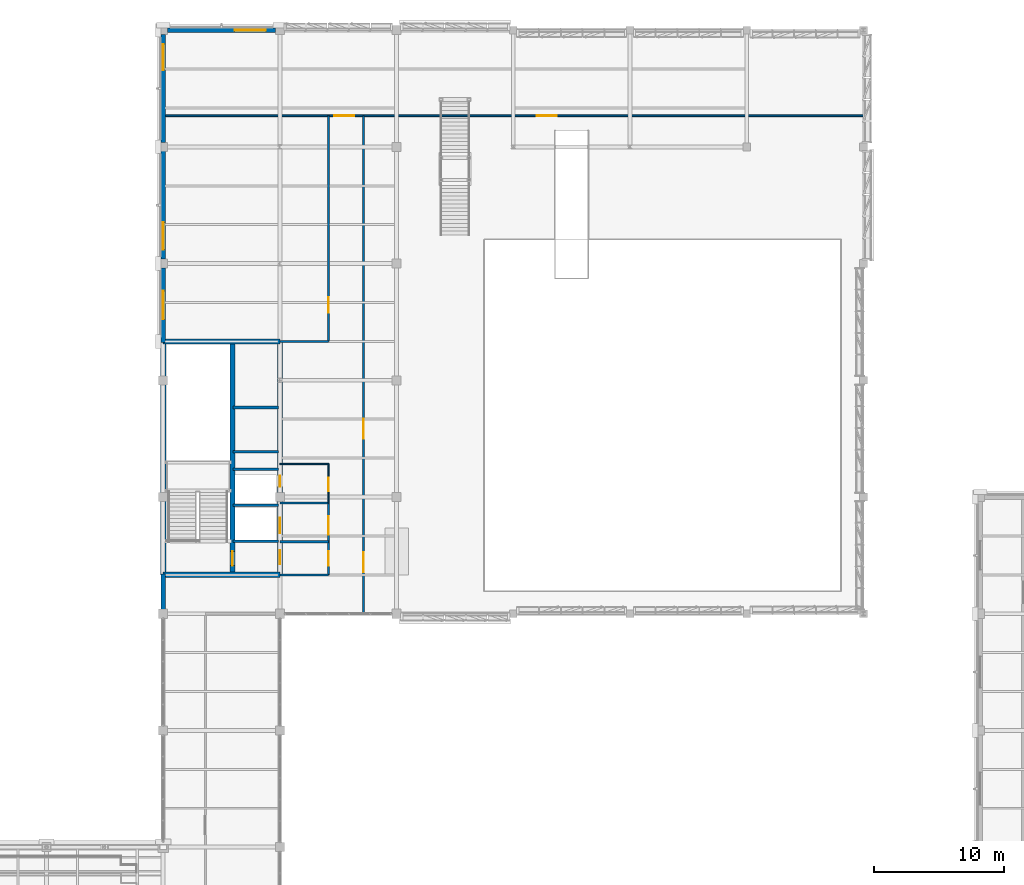
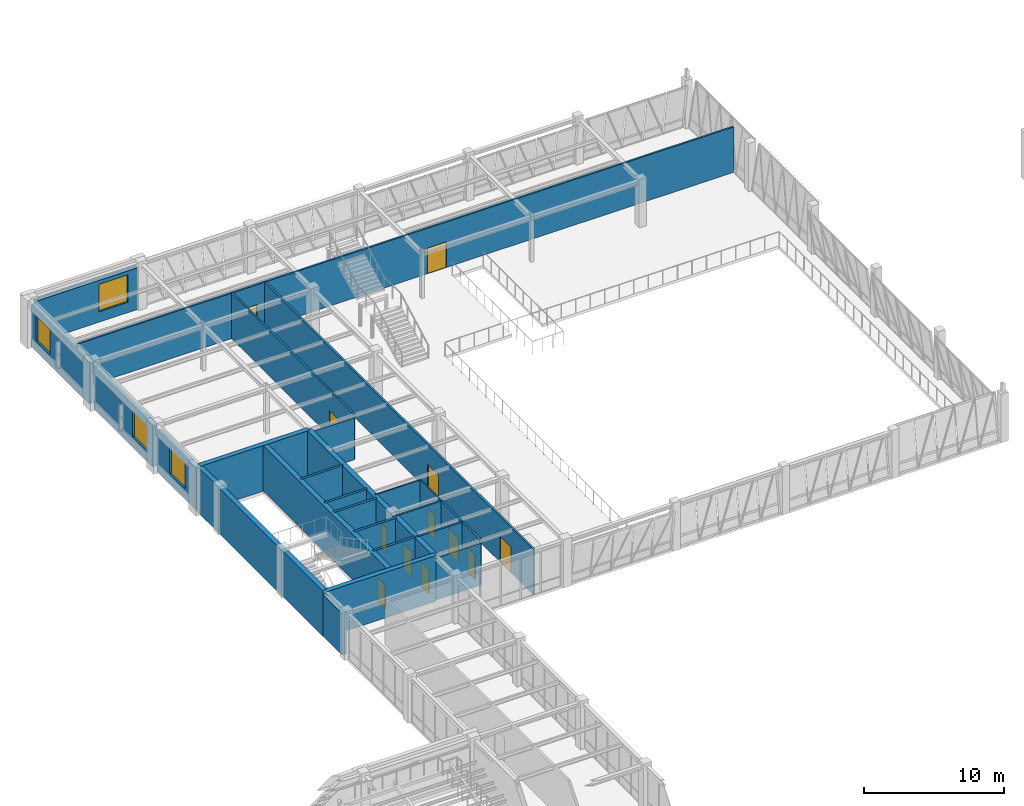
# One storey, part 94 of 108: 25 walls, 12 doors, 4 windows, 16 openings.
"""IFC4 building model written with IfcOpenShell, lengths in metres."""

from ifc_helpers import new_model, si_unit, direction, frame, frame_2d, origin, place, context, subcontext, project, spatial, rectangle, extrude, material, layer, layer_set, type_object, element, fill, save


model = new_model("IFC4")

# Units and contexts
model_context = context("Model", 3, precision=1e-05, world=origin(), true_north=direction((0.0, 1.0)))
body_context = subcontext(model_context, "Body", "Model", "MODEL_VIEW")
ifc_project = project(units=[si_unit("LENGTHUNIT", "METRE"), si_unit("AREAUNIT", "SQUARE_METRE"), si_unit("VOLUMEUNIT", "CUBIC_METRE"), si_unit("PLANEANGLEUNIT", "RADIAN"), si_unit("MASSUNIT", "GRAM", prefix="KILO")], contexts=[model_context])

# Site, building, storey
site_placement = place(None, origin())
site = spatial("IfcSite", under=ifc_project, at=site_placement, CompositionType="ELEMENT")
building_placement = place(site_placement, origin())
building = spatial("IfcBuilding", under=site, at=building_placement, Name="Lykobir Media Centre", CompositionType="ELEMENT")
storey_placement = place(building_placement, frame((0.0, 0.0, 15.0)))
storey = spatial("IfcBuildingStorey", under=building, at=storey_placement, Name="L03", CompositionType="ELEMENT", Elevation=15.0)

# Wall, opening, window
ifc_material_1 = material(Name="Architectural Ochre Brick", Category="masonry")
ifc_layer_1 = layer(ifc_material_1, 0.360107421875, Name="Architectural Ochre Brick")
ifc_layer_set_1 = layer_set([ifc_layer_1], Name="Architectural Ochre Brick")
wall_type_1 = type_object("IfcWallType", Name="EW-BRK-360", PredefinedType="STANDARD", material=ifc_layer_set_1)
wall_1_placement = place(storey_placement, frame((35.6650390625, 108.0, 0.0), z_axis=(0.0, 0.0, 1.0), x_axis=(-1.0, 0.0, 0.0)))
wall_1 = element("IfcWall", 1, at=wall_1_placement, inside=storey, type_object=wall_type_1, Name="Exterior wall WALL-L03-0238", PredefinedType="STANDARD", context=body_context, shape_type="SweptSolid", body=[
    extrude(rectangle(XDim=8.330078125, YDim=0.360107421875, at=frame_2d((4.1650390625, 0.0))), origin(), (0.0, 0.0, 1.0), 3.635009765625),
])
opening_1_placement = place(wall_1_placement, frame((0.75, 0.0, 0.89990234375)))
opening_1 = element("IfcOpeningElement", 2, at=opening_1_placement, cuts=wall_1, Name="Opening WN-2400x2400", PredefinedType="OPENING", context=body_context, shape_type="SweptSolid", body=[
    extrude(rectangle(XDim=2.39990234375, YDim=2.39990234375, at=frame_2d((1.199951171875, 1.199951171875))), frame((0.0, 0.18994140625, 0.0), z_axis=(0.0, -1.0, 0.0), x_axis=(1.0, 0.0, 0.0)), (0.0, 0.0, 1.0), 0.380126953125),
])
ifc_material_2 = material(Name="Low-E Laminated Triple Glazing", Category="glass")
window_type_1 = type_object("IfcWindowType", Name="WN-2400x2400", PartitioningType="SINGLE_PANEL", PredefinedType="WINDOW", material=ifc_material_2)
window_1_placement = place(opening_1_placement, origin())
window_1 = element("IfcWindow", 3, at=window_1_placement, inside=storey, type_object=window_type_1, Name="Window WIN-L03-0078", OverallHeight=2.39990234375, OverallWidth=2.39990234375, PartitioningType="SINGLE_PANEL", PredefinedType="WINDOW", context=body_context, shape_type="SweptSolid", body=[
    extrude(rectangle(XDim=2.39990234375, YDim=2.39990234375, at=frame_2d((1.199951171875, 1.199951171875))), frame((0.0, 0.030029296875, 0.0), z_axis=(0.0, -1.0, 0.0), x_axis=(1.0, 0.0, 0.0)), (0.0, 0.0, 1.0), 0.06005859375),
])
fill(opening_1, window_1)

# Wall
wall_2_placement = place(storey_placement, frame((27.0, 66.074951171875, 0.0), z_axis=(0.0, 0.0, 1.0), x_axis=(0.0, -1.0, 0.0)))
element("IfcWall", 4, at=wall_2_placement, inside=storey, type_object=wall_type_1, Name="Exterior wall WALL-L03-0239", PredefinedType="STANDARD", context=body_context, shape_type="SweptSolid", body=[
    extrude(rectangle(XDim=2.739990234375, YDim=0.360107421875, at=frame_2d((1.3701171875, 0.0))), origin(), (0.0, 0.0, 1.0), 3.635009765625),
])

# Wall, opening, window
wall_3_placement = place(storey_placement, frame((27.0, 89.6650390625, 0.0), z_axis=(0.0, 0.0, 1.0), x_axis=(0.0, -1.0, 0.0)))
wall_3 = element("IfcWall", 5, at=wall_3_placement, inside=storey, type_object=wall_type_1, Name="Exterior wall WALL-L03-0240", PredefinedType="STANDARD", context=body_context, shape_type="SweptSolid", body=[
    extrude(rectangle(XDim=5.739990234375, YDim=0.360107421875, at=frame_2d((2.8701171875, 0.0))), origin(), (0.0, 0.0, 1.0), 3.635009765625),
])
opening_2_placement = place(wall_3_placement, frame((1.77001953125, 0.0, 0.89990234375)))
opening_2 = element("IfcOpeningElement", 6, at=opening_2_placement, cuts=wall_3, Name="Opening WN-2200x2300", PredefinedType="OPENING", context=body_context, shape_type="SweptSolid", body=[
    extrude(rectangle(XDim=2.199951171875, YDim=2.300048828125, at=frame_2d((1.10009765625, 1.14990234375))), frame((0.0, 0.18994140625, 0.0), z_axis=(0.0, -1.0, 0.0), x_axis=(1.0, 0.0, 0.0)), (0.0, 0.0, 1.0), 0.380126953125),
])
window_type_2 = type_object("IfcWindowType", Name="WN-2200x2300", PartitioningType="SINGLE_PANEL", PredefinedType="WINDOW", material=ifc_material_2)
window_2_placement = place(opening_2_placement, origin())
window_2 = element("IfcWindow", 7, at=window_2_placement, inside=storey, type_object=window_type_2, Name="Window WIN-L03-0079", OverallHeight=2.300048828125, OverallWidth=2.199951171875, PartitioningType="SINGLE_PANEL", PredefinedType="WINDOW", context=body_context, shape_type="SweptSolid", body=[
    extrude(rectangle(XDim=2.199951171875, YDim=2.300048828125, at=frame_2d((1.10009765625, 1.14990234375))), frame((0.0, 0.030029296875, 0.0), z_axis=(0.0, -1.0, 0.0), x_axis=(1.0, 0.0, 0.0)), (0.0, 0.0, 1.0), 0.06005859375),
])
fill(opening_2, window_2)

wall_4_placement = place(storey_placement, frame((27.0, 98.6650390625, 0.0), z_axis=(0.0, 0.0, 1.0), x_axis=(0.0, -1.0, 0.0)))
wall_4 = element("IfcWall", 8, at=wall_4_placement, inside=storey, type_object=wall_type_1, Name="Exterior wall WALL-L03-0241", PredefinedType="STANDARD", context=body_context, shape_type="SweptSolid", body=[
    extrude(rectangle(XDim=8.330078125, YDim=0.360107421875, at=frame_2d((4.1650390625, 0.0))), origin(), (0.0, 0.0, 1.0), 3.635009765625),
])
opening_3_placement = place(wall_4_placement, frame((5.47998046875, 0.0, 0.89990234375)))
opening_3 = element("IfcOpeningElement", 9, at=opening_3_placement, cuts=wall_4, Name="Opening WN-2100x2250", PredefinedType="OPENING", context=body_context, shape_type="SweptSolid", body=[
    extrude(rectangle(XDim=2.10009765625, YDim=2.25, at=frame_2d((1.050048828125, 1.125))), frame((0.0, 0.18994140625, 0.0), z_axis=(0.0, -1.0, 0.0), x_axis=(1.0, 0.0, 0.0)), (0.0, 0.0, 1.0), 0.380126953125),
])
window_type_3 = type_object("IfcWindowType", Name="WN-2100x2250", PartitioningType="SINGLE_PANEL", PredefinedType="WINDOW", material=ifc_material_2)
window_3_placement = place(opening_3_placement, origin())
window_3 = element("IfcWindow", 10, at=window_3_placement, inside=storey, type_object=window_type_3, Name="Window WIN-L03-0080", OverallHeight=2.25, OverallWidth=2.10009765625, PartitioningType="SINGLE_PANEL", PredefinedType="WINDOW", context=body_context, shape_type="SweptSolid", body=[
    extrude(rectangle(XDim=2.10009765625, YDim=2.25, at=frame_2d((1.050048828125, 1.125))), frame((0.0, 0.030029296875, 0.0), z_axis=(0.0, -1.0, 0.0), x_axis=(1.0, 0.0, 0.0)), (0.0, 0.0, 1.0), 0.06005859375),
])
fill(opening_3, window_3)

wall_5_placement = place(storey_placement, frame((27.0, 107.6650390625, 0.0), z_axis=(0.0, 0.0, 1.0), x_axis=(0.0, -1.0, 0.0)))
wall_5 = element("IfcWall", 11, at=wall_5_placement, inside=storey, type_object=wall_type_1, Name="Exterior wall WALL-L03-0242", PredefinedType="STANDARD", context=body_context, shape_type="SweptSolid", body=[
    extrude(rectangle(XDim=8.330078125, YDim=0.360107421875, at=frame_2d((4.1650390625, 0.0))), origin(), (0.0, 0.0, 1.0), 3.635009765625),
])
opening_4_placement = place(wall_5_placement, frame((0.75, 0.0, 0.89990234375)))
opening_4 = element("IfcOpeningElement", 12, at=opening_4_placement, cuts=wall_5, Name="Opening WN-2000x2200", PredefinedType="OPENING", context=body_context, shape_type="SweptSolid", body=[
    extrude(rectangle(XDim=2.0, YDim=2.199951171875, at=frame_2d((1.0, 1.10009765625))), frame((0.0, 0.18994140625, 0.0), z_axis=(0.0, -1.0, 0.0), x_axis=(1.0, 0.0, 0.0)), (0.0, 0.0, 1.0), 0.380126953125),
])
window_type_4 = type_object("IfcWindowType", Name="WN-2000x2200", PartitioningType="SINGLE_PANEL", PredefinedType="WINDOW", material=ifc_material_2)
window_4_placement = place(opening_4_placement, origin())
window_4 = element("IfcWindow", 13, at=window_4_placement, inside=storey, type_object=window_type_4, Name="Window WIN-L03-0081", OverallHeight=2.199951171875, OverallWidth=2.0, PartitioningType="SINGLE_PANEL", PredefinedType="WINDOW", context=body_context, shape_type="SweptSolid", body=[
    extrude(rectangle(XDim=2.0, YDim=2.199951171875, at=frame_2d((1.0, 1.10009765625))), frame((0.0, 0.030029296875, 0.0), z_axis=(0.0, -1.0, 0.0), x_axis=(1.0, 0.0, 0.0)), (0.0, 0.0, 1.0), 0.06005859375),
])
fill(opening_4, window_4)

# Wall, opening, door
ifc_material_3 = material(Name="Acoustic Gypsum Board", Category="gypsum")
ifc_layer_2 = layer(ifc_material_3, 0.14501953125, Name="Acoustic Gypsum Board")
ifc_layer_set_2 = layer_set([ifc_layer_2], Name="Acoustic Gypsum Board")
wall_type_2 = type_object("IfcWallType", Name="IW-COR-145", PredefinedType="PARTITIONING", material=ifc_layer_set_2)
wall_6_placement = place(storey_placement, frame((39.75, 84.0, 0.0), z_axis=(0.0, 0.0, 1.0), x_axis=(0.0, 1.0, 0.0)))
wall_6 = element("IfcWall", 14, at=wall_6_placement, inside=storey, type_object=wall_type_2, Name="Wall IWALL-L03-0726", PredefinedType="PARTITIONING", context=body_context, shape_type="SweptSolid", body=[
    extrude(rectangle(XDim=17.39990234375, YDim=0.14501953125, at=frame_2d((8.699951171875, 0.0))), origin(), (0.0, 0.0, 1.0), 3.9599609375),
])
opening_5_placement = place(wall_6_placement, frame((2.199951171875, 0.0, 0.0)))
opening_5 = element("IfcOpeningElement", 15, at=opening_5_placement, cuts=wall_6, Name="Opening D-L03-NWS1", PredefinedType="OPENING", context=body_context, shape_type="SweptSolid", body=[
    extrude(rectangle(XDim=1.199951171875, YDim=2.179931640625, at=frame_2d((0.60009765625, 1.08984375))), frame((0.0, 0.08251953125, 0.0), z_axis=(0.0, -1.0, 0.0), x_axis=(1.0, 0.0, 0.0)), (0.0, 0.0, 1.0), 0.1650390625),
])
ifc_material_4 = material(Name="Acoustic Timber Panelling", Category="wood")
door_type_1 = type_object("IfcDoorType", Name="FD-1200x2180", OperationType="NOTDEFINED", PredefinedType="DOOR", material=ifc_material_4)
door_1_placement = place(opening_5_placement, origin())
door_1 = element("IfcDoor", 16, at=door_1_placement, inside=storey, type_object=door_type_1, Name="Door D-L03-NWS1", OperationType="SINGLE_SWING_RIGHT", OverallHeight=2.179931640625, OverallWidth=1.199951171875, PredefinedType="DOOR", context=body_context, shape_type="SweptSolid", body=[
    extrude(rectangle(XDim=1.199951171875, YDim=2.179931640625, at=frame_2d((0.60009765625, 1.08984375))), frame((0.0, 0.02490234375, 0.0), z_axis=(0.0, -1.0, 0.0), x_axis=(1.0, 0.0, 0.0)), (0.0, 0.0, 1.0), 0.050048828125),
])
fill(opening_5, door_1)

# Wall, openings, doors
wall_7_placement = place(storey_placement, frame((27.0, 101.39990234375, 0.0), z_axis=(0.0, 0.0, 1.0), x_axis=(1.0, 0.0, 0.0)))
wall_7 = element("IfcWall", 17, at=wall_7_placement, inside=storey, type_object=wall_type_2, Name="Wall IWALL-L03-0727", PredefinedType="PARTITIONING", context=body_context, shape_type="SweptSolid", body=[
    extrude(rectangle(XDim=54.0, YDim=0.14501953125, at=frame_2d((27.0, 0.0))), origin(), (0.0, 0.0, 1.0), 3.9599609375),
])
opening_6_placement = place(wall_7_placement, frame((13.199951171875, 0.0, 0.0)))
opening_6 = element("IfcOpeningElement", 18, at=opening_6_placement, cuts=wall_7, Name="Opening D-L03-LIB1", PredefinedType="OPENING", context=body_context, shape_type="SweptSolid", body=[
    extrude(rectangle(XDim=1.550048828125, YDim=2.239990234375, at=frame_2d((0.77490234375, 1.1201171875))), frame((0.0, 0.08251953125, 0.0), z_axis=(0.0, -1.0, 0.0), x_axis=(1.0, 0.0, 0.0)), (0.0, 0.0, 1.0), 0.1650390625),
])
opening_7_placement = place(wall_7_placement, frame((28.800048828125, 0.0, 0.0)))
opening_7 = element("IfcOpeningElement", 19, at=opening_7_placement, cuts=wall_7, Name="Opening D-L03-LIB2", PredefinedType="OPENING", context=body_context, shape_type="SweptSolid", body=[
    extrude(rectangle(XDim=1.550048828125, YDim=2.239990234375, at=frame_2d((0.77490234375, 1.1201171875))), frame((0.0, 0.08251953125, 0.0), z_axis=(0.0, -1.0, 0.0), x_axis=(1.0, 0.0, 0.0)), (0.0, 0.0, 1.0), 0.1650390625),
])
door_type_2 = type_object("IfcDoorType", Name="FD-1550x2240", OperationType="NOTDEFINED", PredefinedType="DOOR", material=ifc_material_4)
door_2_placement = place(opening_6_placement, origin())
door_2 = element("IfcDoor", 20, at=door_2_placement, inside=storey, type_object=door_type_2, Name="Door D-L03-LIB1", OperationType="DOUBLE_DOOR_SINGLE_SWING", OverallHeight=2.239990234375, OverallWidth=1.550048828125, PredefinedType="DOOR", context=body_context, shape_type="SweptSolid", body=[
    extrude(rectangle(XDim=1.550048828125, YDim=2.239990234375, at=frame_2d((0.77490234375, 1.1201171875))), frame((0.0, 0.02490234375, 0.0), z_axis=(0.0, -1.0, 0.0), x_axis=(1.0, 0.0, 0.0)), (0.0, 0.0, 1.0), 0.050048828125),
])
fill(opening_6, door_2)
door_3_placement = place(opening_7_placement, origin())
door_3 = element("IfcDoor", 21, at=door_3_placement, inside=storey, type_object=door_type_2, Name="Door D-L03-LIB2", OperationType="DOUBLE_DOOR_SINGLE_SWING", OverallHeight=2.239990234375, OverallWidth=1.550048828125, PredefinedType="DOOR", context=body_context, shape_type="SweptSolid", body=[
    extrude(rectangle(XDim=1.550048828125, YDim=2.239990234375, at=frame_2d((0.77490234375, 1.1201171875))), frame((0.0, 0.02490234375, 0.0), z_axis=(0.0, -1.0, 0.0), x_axis=(1.0, 0.0, 0.0)), (0.0, 0.0, 1.0), 0.050048828125),
])
fill(opening_7, door_3)

ifc_layer_3 = layer(ifc_material_3, 0.159912109375, Name="Acoustic Gypsum Board")
ifc_layer_set_3 = layer_set([ifc_layer_3], Name="Acoustic Gypsum Board")
wall_type_3 = type_object("IfcWallType", Name="IW-COR-160", PredefinedType="PARTITIONING", material=ifc_layer_set_3)
wall_8_placement = place(storey_placement, frame((39.75, 66.0, 0.0), z_axis=(0.0, 0.0, 1.0), x_axis=(0.0, 1.0, 0.0)))
wall_8 = element("IfcWall", 22, at=wall_8_placement, inside=storey, type_object=wall_type_3, Name="Wall IWALL-L03-0417", PredefinedType="PARTITIONING", context=body_context, shape_type="SweptSolid", body=[
    extrude(rectangle(XDim=5.550048828125, YDim=0.159912109375, at=frame_2d((2.77490234375, 0.0))), origin(), (0.0, 0.0, 1.0), 3.9599609375),
])
opening_8_placement = place(wall_8_placement, frame((0.699951171875, 0.0, 0.0)))
opening_8 = element("IfcOpeningElement", 23, at=opening_8_placement, cuts=wall_8, Name="Opening D-L03-C3LV", PredefinedType="OPENING", context=body_context, shape_type="SweptSolid", body=[
    extrude(rectangle(XDim=1.10009765625, YDim=2.159912109375, at=frame_2d((0.550048828125, 1.080078125))), frame((0.0, 0.08984375, 0.0), z_axis=(0.0, -1.0, 0.0), x_axis=(1.0, 0.0, 0.0)), (0.0, 0.0, 1.0), 0.179931640625),
])
opening_9_placement = place(wall_8_placement, frame((3.10009765625, 0.0, 0.0)))
opening_9 = element("IfcOpeningElement", 24, at=opening_9_placement, cuts=wall_8, Name="Opening D-L03-C3PL", PredefinedType="OPENING", context=body_context, shape_type="SweptSolid", body=[
    extrude(rectangle(XDim=1.39990234375, YDim=2.199951171875, at=frame_2d((0.699951171875, 1.10009765625))), frame((0.0, 0.08984375, 0.0), z_axis=(0.0, -1.0, 0.0), x_axis=(1.0, 0.0, 0.0)), (0.0, 0.0, 1.0), 0.179931640625),
])
door_type_3 = type_object("IfcDoorType", Name="FD-1100x2160", OperationType="NOTDEFINED", PredefinedType="DOOR", material=ifc_material_4)
door_4_placement = place(opening_8_placement, origin())
door_4 = element("IfcDoor", 25, at=door_4_placement, inside=storey, type_object=door_type_3, Name="Door D-L03-C3LV", OperationType="SINGLE_SWING_LEFT", OverallHeight=2.159912109375, OverallWidth=1.10009765625, PredefinedType="DOOR", context=body_context, shape_type="SweptSolid", body=[
    extrude(rectangle(XDim=1.10009765625, YDim=2.159912109375, at=frame_2d((0.550048828125, 1.080078125))), frame((0.0, 0.02490234375, 0.0), z_axis=(0.0, -1.0, 0.0), x_axis=(1.0, 0.0, 0.0)), (0.0, 0.0, 1.0), 0.050048828125),
])
fill(opening_8, door_4)
door_type_4 = type_object("IfcDoorType", Name="FD-1400x2200", OperationType="NOTDEFINED", PredefinedType="DOOR", material=ifc_material_4)
door_5_placement = place(opening_9_placement, origin())
door_5 = element("IfcDoor", 26, at=door_5_placement, inside=storey, type_object=door_type_4, Name="Door D-L03-C3PL", OperationType="DOUBLE_DOOR_SINGLE_SWING", OverallHeight=2.199951171875, OverallWidth=1.39990234375, PredefinedType="DOOR", context=body_context, shape_type="SweptSolid", body=[
    extrude(rectangle(XDim=1.39990234375, YDim=2.199951171875, at=frame_2d((0.699951171875, 1.10009765625))), frame((0.0, 0.02490234375, 0.0), z_axis=(0.0, -1.0, 0.0), x_axis=(1.0, 0.0, 0.0)), (0.0, 0.0, 1.0), 0.050048828125),
])
fill(opening_9, door_5)

# Walls
wall_9_placement = place(storey_placement, frame((36.0, 66.0, 0.0), z_axis=(0.0, 0.0, 1.0), x_axis=(1.0, 0.0, 0.0)))
element("IfcWall", 27, at=wall_9_placement, inside=storey, type_object=wall_type_3, Name="Wall IWALL-L03-0418", PredefinedType="PARTITIONING", context=body_context, shape_type="SweptSolid", body=[
    extrude(rectangle(XDim=3.75, YDim=0.159912109375, at=frame_2d((1.875, 0.0))), origin(), (0.0, 0.0, 1.0), 3.64501953125),
])
for number, where, z_axis, x_axis, name in (
    (28, (36.0, 68.550048828125, 0.0), (0.0, 0.0, 1.0), (1.0, 0.0, 0.0), "Wall IWALL-L03-0419"),
    (29, (36.0, 71.550048828125, 0.0), (0.0, 0.0, 1.0), (1.0, 0.0, 0.0), "Wall IWALL-L03-0420"),
):
    element("IfcWall", number, at=place(storey_placement, frame(where, z_axis=z_axis, x_axis=x_axis)), inside=storey, type_object=wall_type_3, Name=name, PredefinedType="PARTITIONING", context=body_context, shape_type="SweptSolid", body=[
        extrude(rectangle(XDim=3.75, YDim=0.159912109375, at=frame_2d((1.875, 0.0))), origin(), (0.0, 0.0, 1.0), 3.9599609375),
    ])

# Wall, openings, doors
wall_10_placement = place(storey_placement, frame((42.449951171875, 63.0, 0.0), z_axis=(0.0, 0.0, 1.0), x_axis=(0.0, 1.0, 0.0)))
wall_10 = element("IfcWall", 30, at=wall_10_placement, inside=storey, type_object=wall_type_3, Name="Wall IWALL-L03-0724", PredefinedType="PARTITIONING", context=body_context, shape_type="SweptSolid", body=[
    extrude(rectangle(XDim=38.39990234375, YDim=0.159912109375, at=frame_2d((19.199951171875, 0.0))), origin(), (0.0, 0.0, 1.0), 3.9599609375),
])
opening_10_placement = place(wall_10_placement, frame((3.199951171875, 0.0, 0.0)))
opening_10 = element("IfcOpeningElement", 31, at=opening_10_placement, cuts=wall_10, Name="Opening D-L03-VAL1", PredefinedType="OPENING", context=body_context, shape_type="SweptSolid", body=[
    extrude(rectangle(XDim=1.550048828125, YDim=2.239990234375, at=frame_2d((0.77490234375, 1.1201171875))), frame((0.0, 0.08984375, 0.0), z_axis=(0.0, -1.0, 0.0), x_axis=(1.0, 0.0, 0.0)), (0.0, 0.0, 1.0), 0.179931640625),
])
opening_11_placement = place(wall_10_placement, frame((13.5, 0.0, 0.0)))
opening_11 = element("IfcOpeningElement", 32, at=opening_11_placement, cuts=wall_10, Name="Opening D-L03-VAL2", PredefinedType="OPENING", context=body_context, shape_type="SweptSolid", body=[
    extrude(rectangle(XDim=1.550048828125, YDim=2.239990234375, at=frame_2d((0.77490234375, 1.1201171875))), frame((0.0, 0.08984375, 0.0), z_axis=(0.0, -1.0, 0.0), x_axis=(1.0, 0.0, 0.0)), (0.0, 0.0, 1.0), 0.179931640625),
])
door_6_placement = place(opening_10_placement, origin())
door_6 = element("IfcDoor", 33, at=door_6_placement, inside=storey, type_object=door_type_2, Name="Door D-L03-VAL1", OperationType="DOUBLE_DOOR_SINGLE_SWING", OverallHeight=2.239990234375, OverallWidth=1.550048828125, PredefinedType="DOOR", context=body_context, shape_type="SweptSolid", body=[
    extrude(rectangle(XDim=1.550048828125, YDim=2.239990234375, at=frame_2d((0.77490234375, 1.1201171875))), frame((0.0, 0.02490234375, 0.0), z_axis=(0.0, -1.0, 0.0), x_axis=(1.0, 0.0, 0.0)), (0.0, 0.0, 1.0), 0.050048828125),
])
fill(opening_10, door_6)
door_7_placement = place(opening_11_placement, origin())
door_7 = element("IfcDoor", 34, at=door_7_placement, inside=storey, type_object=door_type_2, Name="Door D-L03-VAL2", OperationType="DOUBLE_DOOR_SINGLE_SWING", OverallHeight=2.239990234375, OverallWidth=1.550048828125, PredefinedType="DOOR", context=body_context, shape_type="SweptSolid", body=[
    extrude(rectangle(XDim=1.550048828125, YDim=2.239990234375, at=frame_2d((0.77490234375, 1.1201171875))), frame((0.0, 0.02490234375, 0.0), z_axis=(0.0, -1.0, 0.0), x_axis=(1.0, 0.0, 0.0)), (0.0, 0.0, 1.0), 0.050048828125),
])
fill(opening_11, door_7)

# Walls
wall_11_placement = place(storey_placement, frame((36.0, 84.0, 0.0), z_axis=(0.0, 0.0, 1.0), x_axis=(1.0, 0.0, 0.0)))
element("IfcWall", 35, at=wall_11_placement, inside=storey, type_object=wall_type_3, Name="Wall IWALL-L03-0725", PredefinedType="PARTITIONING", context=body_context, shape_type="SweptSolid", body=[
    extrude(rectangle(XDim=3.75, YDim=0.159912109375, at=frame_2d((1.875, 0.0))), origin(), (0.0, 0.0, 1.0), 3.64501953125),
])
ifc_material_5 = material(Name="Concrete C30/37", Category="concrete")
ifc_layer_4 = layer(ifc_material_5, 0.199951171875, Name="Concrete C30/37")
ifc_layer_set_4 = layer_set([ifc_layer_4], Name="Concrete C30/37")
wall_type_4 = type_object("IfcWallType", Name="IW-SHAFT-200", PredefinedType="PARTITIONING", material=ifc_layer_set_4)
for number, where, z_axis, x_axis, name in (
    (36, (32.39990234375, 68.60009765625, 0.0), (0.0, 0.0, 1.0), (1.0, 0.0, 0.0), "Wall IWALL-L03-0412"),
    (37, (32.39990234375, 71.35009765625, 0.0), (0.0, 0.0, 1.0), (1.0, 0.0, 0.0), "Wall IWALL-L03-0413"),
    (38, (32.39990234375, 74.14990234375, 0.0), (0.0, 0.0, 1.0), (1.0, 0.0, 0.0), "Wall IWALL-L03-0414"),
    (39, (32.39990234375, 75.5, 0.0), (0.0, 0.0, 1.0), (1.0, 0.0, 0.0), "Wall IWALL-L03-0415"),
    (40, (32.39990234375, 78.89990234375, 0.0), (0.0, 0.0, 1.0), (1.0, 0.0, 0.0), "Wall IWALL-L03-0416"),
):
    element("IfcWall", number, at=place(storey_placement, frame(where, z_axis=z_axis, x_axis=x_axis)), inside=storey, type_object=wall_type_4, Name=name, PredefinedType="PARTITIONING", context=body_context, shape_type="SweptSolid", body=[
        extrude(rectangle(XDim=3.5, YDim=0.199951171875, at=frame_2d((1.75, 0.0))), origin(), (0.0, 0.0, 1.0), 3.9599609375),
    ])

# Wall, opening, door
ifc_layer_5 = layer(ifc_material_3, 0.094970703125, Name="Acoustic Gypsum Board")
ifc_layer_set_5 = layer_set([ifc_layer_5], Name="Acoustic Gypsum Board")
wall_type_5 = type_object("IfcWallType", Name="IW-WC-095", PredefinedType="PARTITIONING", material=ifc_layer_set_5)
wall_12_placement = place(storey_placement, frame((39.75, 71.550048828125, 0.0), z_axis=(0.0, 0.0, 1.0), x_axis=(0.0, 1.0, 0.0)))
wall_12 = element("IfcWall", 41, at=wall_12_placement, inside=storey, type_object=wall_type_5, Name="Wall IWALL-L03-0421", PredefinedType="PARTITIONING", context=body_context, shape_type="SweptSolid", body=[
    extrude(rectangle(XDim=3.0, YDim=0.094970703125, at=frame_2d((1.5, 0.0))), origin(), (0.0, 0.0, 1.0), 3.9599609375),
])
opening_12_placement = place(wall_12_placement, frame((0.89990234375, 0.0, 0.0)))
opening_12 = element("IfcOpeningElement", 42, at=opening_12_placement, cuts=wall_12, Name="Opening D-L03-WCA3", PredefinedType="OPENING", context=body_context, shape_type="SweptSolid", body=[
    extrude(rectangle(XDim=1.050048828125, YDim=2.1298828125, at=frame_2d((0.52490234375, 1.06494140625))), frame((0.0, 0.057373046875, 0.0), z_axis=(0.0, -1.0, 0.0), x_axis=(1.0, 0.0, 0.0)), (0.0, 0.0, 1.0), 0.114990234375),
])
door_type_5 = type_object("IfcDoorType", Name="ID-1050x2130", OperationType="NOTDEFINED", PredefinedType="DOOR", material=ifc_material_4)
door_8_placement = place(opening_12_placement, origin())
door_8 = element("IfcDoor", 43, at=door_8_placement, inside=storey, type_object=door_type_5, Name="Door D-L03-WCA3", OperationType="SINGLE_SWING_RIGHT", OverallHeight=2.1298828125, OverallWidth=1.050048828125, PredefinedType="DOOR", context=body_context, shape_type="SweptSolid", body=[
    extrude(rectangle(XDim=1.050048828125, YDim=2.1298828125, at=frame_2d((0.52490234375, 1.06494140625))), frame((0.0, 0.02490234375, 0.0), z_axis=(0.0, -1.0, 0.0), x_axis=(1.0, 0.0, 0.0)), (0.0, 0.0, 1.0), 0.050048828125),
])
fill(opening_12, door_8)

# Walls
wall_13_placement = place(storey_placement, frame((36.0, 74.550048828125, 0.0), z_axis=(0.0, 0.0, 1.0), x_axis=(1.0, 0.0, 0.0)))
element("IfcWall", 44, at=wall_13_placement, inside=storey, type_object=wall_type_5, Name="Wall IWALL-L03-0422", PredefinedType="PARTITIONING", context=body_context, shape_type="SweptSolid", body=[
    extrude(rectangle(XDim=3.75, YDim=0.094970703125, at=frame_2d((1.875, 0.0))), origin(), (0.0, 0.0, 1.0), 3.9599609375),
])
ifc_material_6 = material(Name="Concrete C40/50", Category="concrete")
ifc_layer_6 = layer(ifc_material_6, 0.39990234375, Name="Concrete C40/50")
ifc_layer_set_6 = layer_set([ifc_layer_6], Name="Concrete C40/50")
wall_type_6 = type_object("IfcWallType", Name="SW-CORE-400", PredefinedType="SHEAR", material=ifc_layer_set_6)
wall_14_placement = place(storey_placement, frame((27.0, 66.0, 0.0), z_axis=(0.0, 0.0, 1.0), x_axis=(1.0, 0.0, 0.0)))
element("IfcWall", 45, at=wall_14_placement, inside=storey, type_object=wall_type_6, Name="Wall IWALL-L03-0407", PredefinedType="SHEAR", context=body_context, shape_type="SweptSolid", body=[
    extrude(rectangle(XDim=9.0, YDim=0.39990234375, at=frame_2d((4.5, 0.0))), origin(), (0.0, 0.0, 1.0), 3.9599609375),
])

# Wall, openings, doors
wall_15_placement = place(storey_placement, frame((36.0, 66.0, 0.0), z_axis=(0.0, 0.0, 1.0), x_axis=(0.0, 1.0, 0.0)))
wall_15 = element("IfcWall", 46, at=wall_15_placement, inside=storey, type_object=wall_type_6, Name="Wall IWALL-L03-0408", PredefinedType="SHEAR", context=body_context, shape_type="SweptSolid", body=[
    extrude(rectangle(XDim=18.0, YDim=0.39990234375, at=frame_2d((9.0, 0.0))), origin(), (0.0, 0.0, 1.0), 3.9599609375),
])
opening_13_placement = place(wall_15_placement, frame((0.800048828125, 0.0, 0.0)))
opening_13 = element("IfcOpeningElement", 47, at=opening_13_placement, cuts=wall_15, Name="Opening D-L03-C3VB", PredefinedType="OPENING", context=body_context, shape_type="SweptSolid", body=[
    extrude(rectangle(XDim=1.10009765625, YDim=2.159912109375, at=frame_2d((0.550048828125, 1.080078125))), frame((0.0, 0.2099609375, 0.0), z_axis=(0.0, -1.0, 0.0), x_axis=(1.0, 0.0, 0.0)), (0.0, 0.0, 1.0), 0.419921875),
])
opening_14_placement = place(wall_15_placement, frame((3.199951171875, 0.0, 0.0)))
opening_14 = element("IfcOpeningElement", 48, at=opening_14_placement, cuts=wall_15, Name="Opening LD-L03-PL-3", PredefinedType="OPENING", context=body_context, shape_type="SweptSolid", body=[
    extrude(rectangle(XDim=1.199951171875, YDim=2.199951171875, at=frame_2d((0.60009765625, 1.10009765625))), frame((0.0, 0.2099609375, 0.0), z_axis=(0.0, -1.0, 0.0), x_axis=(1.0, 0.0, 0.0)), (0.0, 0.0, 1.0), 0.419921875),
])
opening_15_placement = place(wall_15_placement, frame((6.800048828125, 0.0, 0.0)))
opening_15 = element("IfcOpeningElement", 49, at=opening_15_placement, cuts=wall_15, Name="Opening D-L03-C3RS", PredefinedType="OPENING", context=body_context, shape_type="SweptSolid", body=[
    extrude(rectangle(XDim=0.85009765625, YDim=2.10009765625, at=frame_2d((0.425048828125, 1.050048828125))), frame((0.0, 0.2099609375, 0.0), z_axis=(0.0, -1.0, 0.0), x_axis=(1.0, 0.0, 0.0)), (0.0, 0.0, 1.0), 0.419921875),
])
ifc_material_7 = material(Name="Anodized Aluminium AW-6060", Category="aluminium")
door_type_6 = type_object("IfcDoorType", Name="FD-0850x2100", OperationType="NOTDEFINED", PredefinedType="DOOR", material=ifc_material_7)
door_9_placement = place(opening_15_placement, origin())
door_9 = element("IfcDoor", 50, at=door_9_placement, inside=storey, type_object=door_type_6, Name="Riser access door C3 L03", OperationType="SINGLE_SWING_RIGHT", OverallHeight=2.10009765625, OverallWidth=0.85009765625, PredefinedType="DOOR", context=body_context, shape_type="SweptSolid", body=[
    extrude(rectangle(XDim=0.85009765625, YDim=2.10009765625, at=frame_2d((0.425048828125, 1.050048828125))), frame((0.0, 0.02490234375, 0.0), z_axis=(0.0, -1.0, 0.0), x_axis=(1.0, 0.0, 0.0)), (0.0, 0.0, 1.0), 0.050048828125),
])
fill(opening_15, door_9)
door_10_placement = place(opening_13_placement, origin())
door_10 = element("IfcDoor", 51, at=door_10_placement, inside=storey, type_object=door_type_3, Name="Door D-L03-C3VB", OperationType="SINGLE_SWING_LEFT", OverallHeight=2.159912109375, OverallWidth=1.10009765625, PredefinedType="DOOR", context=body_context, shape_type="SweptSolid", body=[
    extrude(rectangle(XDim=1.10009765625, YDim=2.159912109375, at=frame_2d((0.550048828125, 1.080078125))), frame((0.0, 0.02490234375, 0.0), z_axis=(0.0, -1.0, 0.0), x_axis=(1.0, 0.0, 0.0)), (0.0, 0.0, 1.0), 0.050048828125),
])
fill(opening_13, door_10)
door_type_7 = type_object("IfcDoorType", Name="LD-1200x2200", OperationType="NOTDEFINED", PredefinedType="DOOR", material=ifc_material_7)
door_11_placement = place(opening_14_placement, origin())
door_11 = element("IfcDoor", 52, at=door_11_placement, inside=storey, type_object=door_type_7, Name="Lift landing door PL-3 L03", OperationType="SLIDING_TO_LEFT", OverallHeight=2.199951171875, OverallWidth=1.199951171875, PredefinedType="DOOR", context=body_context, shape_type="SweptSolid", body=[
    extrude(rectangle(XDim=1.199951171875, YDim=2.199951171875, at=frame_2d((0.60009765625, 1.10009765625))), frame((0.0, 0.02490234375, 0.0), z_axis=(0.0, -1.0, 0.0), x_axis=(1.0, 0.0, 0.0)), (0.0, 0.0, 1.0), 0.050048828125),
])
fill(opening_14, door_11)

# Wall, opening, door
wall_16_placement = place(storey_placement, frame((32.35009765625, 66.0, 0.0), z_axis=(0.0, 0.0, 1.0), x_axis=(0.0, 1.0, 0.0)))
wall_16 = element("IfcWall", 53, at=wall_16_placement, inside=storey, type_object=wall_type_6, Name="Wall IWALL-L03-0411", PredefinedType="SHEAR", context=body_context, shape_type="SweptSolid", body=[
    extrude(rectangle(XDim=18.0, YDim=0.39990234375, at=frame_2d((9.0, 0.0))), origin(), (0.0, 0.0, 1.0), 3.9599609375),
])
opening_16_placement = place(wall_16_placement, frame((0.699951171875, 0.0, 0.0)))
opening_16 = element("IfcOpeningElement", 54, at=opening_16_placement, cuts=wall_16, Name="Opening D-L03-C3ST", PredefinedType="OPENING", context=body_context, shape_type="SweptSolid", body=[
    extrude(rectangle(XDim=1.10009765625, YDim=2.159912109375, at=frame_2d((0.550048828125, 1.080078125))), frame((0.0, 0.2099609375, 0.0), z_axis=(0.0, -1.0, 0.0), x_axis=(1.0, 0.0, 0.0)), (0.0, 0.0, 1.0), 0.419921875),
])
door_12_placement = place(opening_16_placement, frame((1.10009765625, 0.0, 0.0), z_axis=(0.0, 0.0, 1.0), x_axis=(-1.0, 0.0, 0.0)))
door_12 = element("IfcDoor", 55, at=door_12_placement, inside=storey, type_object=door_type_3, Name="L03 ST-3 stairwell fire door", OperationType="SINGLE_SWING_RIGHT", OverallHeight=2.159912109375, OverallWidth=1.10009765625, PredefinedType="DOOR", context=body_context, shape_type="SweptSolid", body=[
    extrude(rectangle(XDim=1.10009765625, YDim=2.159912109375, at=frame_2d((0.550048828125, 1.080078125))), frame((0.0, 0.02490234375, 0.0), z_axis=(0.0, -1.0, 0.0), x_axis=(1.0, 0.0, 0.0)), (0.0, 0.0, 1.0), 0.050048828125),
])
fill(opening_16, door_12)

# Walls
ifc_layer_7 = layer(ifc_material_6, 0.39990234375, Name="Concrete C40/50")
ifc_layer_set_7 = layer_set([ifc_layer_7], Name="Concrete C40/50")
wall_type_7 = type_object("IfcWallType", Name="SW-CORE-400-E", PredefinedType="SHEAR", material=ifc_layer_set_7)
wall_17_placement = place(storey_placement, frame((36.0, 84.0, 0.0), z_axis=(0.0, 0.0, 1.0), x_axis=(-1.0, 0.0, 0.0)))
element("IfcWall", 56, at=wall_17_placement, inside=storey, type_object=wall_type_7, Name="Wall IWALL-L03-0409", PredefinedType="SHEAR", context=body_context, shape_type="SweptSolid", body=[
    extrude(rectangle(XDim=9.0, YDim=0.39990234375, at=frame_2d((4.5, 0.0))), origin(), (0.0, 0.0, 1.0), 3.9599609375),
])
wall_18_placement = place(storey_placement, frame((27.0, 84.0, 0.0), z_axis=(0.0, 0.0, 1.0), x_axis=(0.0, -1.0, 0.0)))
element("IfcWall", 57, at=wall_18_placement, inside=storey, type_object=wall_type_7, Name="Wall IWALL-L03-0410", PredefinedType="SHEAR", context=body_context, shape_type="SweptSolid", body=[
    extrude(rectangle(XDim=18.0, YDim=0.39990234375, at=frame_2d((9.0, 0.0))), origin(), (0.0, 0.0, 1.0), 3.9599609375),
])

save(model, "model.ifc")
